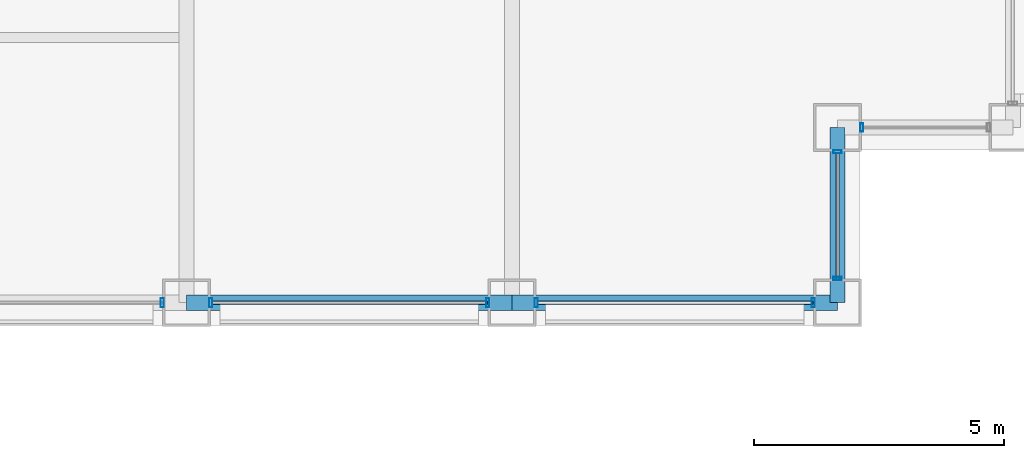
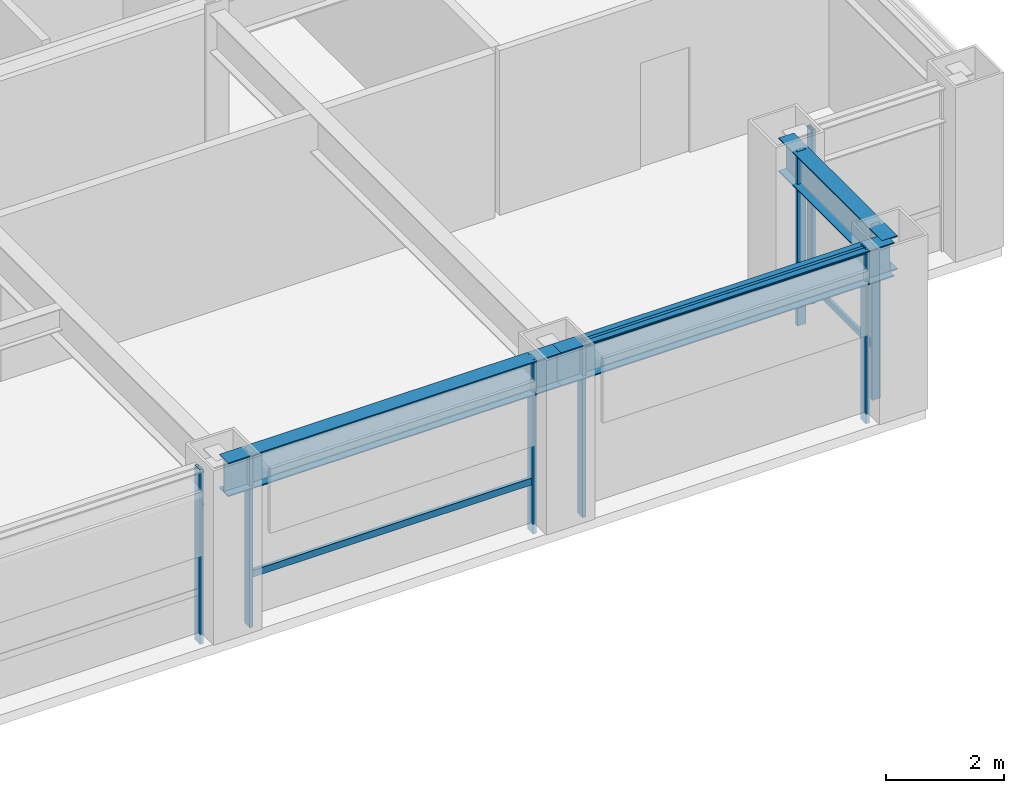
# One storey, part 9 of 31: 11 members, 3 beams, 5 elements without a shape of their own.
"""IFC4 building model written with IfcOpenShell, lengths in metres."""

from ifc_helpers import new_model, si_unit, direction, frame, origin, origin_2d, place, context, subcontext, project, spatial, hollow_rectangle, i_section, extrude, material, layer, layer_set, material_profile, profile_set, type_object, element, aggregate, save


model = new_model("IFC4")

# Units and contexts
model_context = context("Model", 3, precision=1e-05, world=origin(), true_north=direction((0.0, 1.0)))
body_context = subcontext(model_context, "Body", "Model", "MODEL_VIEW")
ifc_project = project(units=[si_unit("LENGTHUNIT", "METRE"), si_unit("AREAUNIT", "SQUARE_METRE"), si_unit("VOLUMEUNIT", "CUBIC_METRE"), si_unit("PLANEANGLEUNIT", "RADIAN"), si_unit("MASSUNIT", "GRAM", prefix="KILO")], contexts=[model_context])

# Site, building, storey
site_placement = place(None, origin())
site = spatial("IfcSite", under=ifc_project, at=site_placement, CompositionType="ELEMENT")
building_placement = place(site_placement, origin())
building = spatial("IfcBuilding", under=site, at=building_placement, Name="Brelmoor Portico Tower", CompositionType="ELEMENT")
storey_placement = place(building_placement, frame((0.0, 0.0, 42.0)))
storey = spatial("IfcBuildingStorey", under=building, at=storey_placement, Name="L10", CompositionType="ELEMENT", Elevation=42.0)

# Beams
ifc_material_1 = material(Name="Steel Q355B", Category="steel")
ifc_material_profile_1 = material_profile(ifc_material_1, i_section(OverallWidth=0.300048828125, OverallDepth=0.699951171875, WebThickness=0.012939453125, FlangeThickness=0.02392578125, at=origin_2d()), Name="HN 700x300x13x24")
ifc_profile_set_1 = profile_set([ifc_material_profile_1], Name="Steel Q355B")
beam_type = type_object("IfcBeamType", Name="BM-SP-700", PredefinedType="SPANDREL", material=ifc_profile_set_1)
for number, where, z_axis, x_axis, name in (
    (1, (8.050048828125, -21.550048828125, 3.050048828125), (1.0, 0.0, 0.0), (0.0, 1.0, 0.0), "L10 Perimeter Spandrel Beam SP-04"),
    (2, (14.550048828125, -21.550048828125, 3.050048828125), (1.0, 0.0, 0.0), (0.0, 1.0, 0.0), "L10 Perimeter Spandrel Beam SP-05"),
):
    element("IfcBeam", number, at=place(storey_placement, frame(where, z_axis=z_axis, x_axis=x_axis)), inside=storey, type_object=beam_type, Name=name, PredefinedType="SPANDREL", context=body_context, shape_type="SweptSolid", body=[
        extrude(i_section(OverallWidth=0.300048828125, OverallDepth=0.699951171875, WebThickness=0.012939453125, FlangeThickness=0.02392578125, at=origin_2d()), origin(), (0.0, 0.0, 1.0), 6.5),
    ])
beam_placement = place(storey_placement, frame((21.050048828125, -21.550048828125, 3.050048828125), z_axis=(0.0, 1.0, 0.0), x_axis=(-1.0, 0.0, 0.0)))
element("IfcBeam", 3, at=beam_placement, inside=storey, type_object=beam_type, Name="L10 Perimeter Spandrel Beam SP-20", PredefinedType="SPANDREL", context=body_context, shape_type="SweptSolid", body=[
    extrude(i_section(OverallWidth=0.300048828125, OverallDepth=0.699951171875, WebThickness=0.012939453125, FlangeThickness=0.02392578125, at=origin_2d()), origin(), (0.0, 0.0, 1.0), 3.5),
])

# Curtain wall, member
ifc_material_2 = material(Name="Anodised Aluminium Alloy 6063-T6", Category="aluminium")
ifc_layer_1 = layer(ifc_material_2, 0.179931640625)
ifc_layer_set_1 = layer_set([ifc_layer_1], Name="Anodised Aluminium Alloy 6063-T6")
curtain_wall_type_1 = type_object("IfcCurtainWallType", Name="CW-NOTCH-CHAMFER", PredefinedType="NOTDEFINED", material=ifc_layer_set_1)
curtain_wall_1_placement = place(storey_placement, origin())
curtain_wall_1 = element("IfcCurtainWall", 4, at=curtain_wall_1_placement, inside=storey, type_object=curtain_wall_type_1, Name="L10 Curtain Wall CWN-L10-SEH", PredefinedType="NOTDEFINED")
ifc_material_profile_2 = material_profile(ifc_material_2, hollow_rectangle(XDim=0.06494140625, YDim=0.1650390625, WallThickness=0.00390625, at=origin_2d()), Name="ALU MULLION 65x165")
ifc_profile_set_2 = profile_set([ifc_material_profile_2], Name="Anodised Aluminium Alloy 6063-T6")
member_type_1 = type_object("IfcMemberType", Name="MB-CW-MULL-165", PredefinedType="MULLION", material=ifc_profile_set_2)
member_1_placement = place(storey_placement, frame((21.534912109375, -18.050048828125, -0.199951171875), z_axis=(0.0, 0.0, 1.0), x_axis=(1.0, 0.0, 0.0)))
member_1 = element("IfcMember", 5, at=member_1_placement, type_object=member_type_1, Name="CWN-L10-SEH Mullion 00", PredefinedType="MULLION", context=body_context, shape_type="SweptSolid", body=[
    extrude(hollow_rectangle(XDim=0.06494140625, YDim=0.1650390625, WallThickness=0.00390625, at=origin_2d()), origin(), (0.0, 0.0, 1.0), 3.599853515625),
])
aggregate(curtain_wall_1, [member_1])

# Curtain wall, members
curtain_wall_2_placement = place(storey_placement, origin())
curtain_wall_2 = element("IfcCurtainWall", 6, at=curtain_wall_2_placement, inside=storey, type_object=curtain_wall_type_1, Name="L10 Curtain Wall CWN-L10-SEV", PredefinedType="NOTDEFINED")
member_2_placement = place(storey_placement, frame((21.050048828125, -21.06494140625, -0.199951171875), z_axis=(0.0, 0.0, 1.0), x_axis=(0.0, 1.0, 0.0)))
member_2 = element("IfcMember", 7, at=member_2_placement, type_object=member_type_1, Name="CWN-L10-SEV Mullion 00", PredefinedType="MULLION", context=body_context, shape_type="SweptSolid", body=[
    extrude(hollow_rectangle(XDim=0.06494140625, YDim=0.1650390625, WallThickness=0.00390625, at=origin_2d()), origin(), (0.0, 0.0, 1.0), 3.599853515625),
])
member_3_placement = place(storey_placement, frame((21.050048828125, -18.534912109375, -0.199951171875), z_axis=(0.0, 0.0, 1.0), x_axis=(0.0, 1.0, 0.0)))
member_3 = element("IfcMember", 8, at=member_3_placement, type_object=member_type_1, Name="CWN-L10-SEV Mullion 01", PredefinedType="MULLION", context=body_context, shape_type="SweptSolid", body=[
    extrude(hollow_rectangle(XDim=0.06494140625, YDim=0.1650390625, WallThickness=0.00390625, at=origin_2d()), origin(), (0.0, 0.0, 1.0), 3.599853515625),
])

# Curtain wall, member
ifc_layer_2 = layer(ifc_material_2, 0.179931640625)
ifc_layer_set_2 = layer_set([ifc_layer_2], Name="Anodised Aluminium Alloy 6063-T6")
curtain_wall_type_2 = type_object("IfcCurtainWallType", Name="CW-TOWER-Z1", PredefinedType="NOTDEFINED", material=ifc_layer_set_2)
curtain_wall_3_placement = place(storey_placement, origin())
curtain_wall_3 = element("IfcCurtainWall", 9, at=curtain_wall_3_placement, inside=storey, type_object=curtain_wall_type_2, Name="L10 Curtain Wall CW-L10-1R-1", PredefinedType="NOTDEFINED")
ifc_material_profile_3 = material_profile(ifc_material_2, hollow_rectangle(XDim=0.06494140625, YDim=0.179931640625, WallThickness=0.00390625, at=origin_2d()), Name="ALU MULLION 65x180")
ifc_profile_set_3 = profile_set([ifc_material_profile_3], Name="Anodised Aluminium Alloy 6063-T6")
member_type_2 = type_object("IfcMemberType", Name="MB-CW-MULL-180", PredefinedType="MULLION", material=ifc_profile_set_3)
member_4_placement = place(storey_placement, frame((7.56494140625, -21.550048828125, -0.199951171875), z_axis=(0.0, 0.0, 1.0), x_axis=(1.0, 0.0, 0.0)))
member_4 = element("IfcMember", 10, at=member_4_placement, type_object=member_type_2, Name="CW-L10-1R-1 Mullion 01", PredefinedType="MULLION", context=body_context, shape_type="SweptSolid", body=[
    extrude(hollow_rectangle(XDim=0.06494140625, YDim=0.179931640625, WallThickness=0.00390625, at=origin_2d()), origin(), (0.0, 0.0, 1.0), 3.599853515625),
])
aggregate(curtain_wall_3, [member_4])

# Curtain wall, members
curtain_wall_4_placement = place(storey_placement, origin())
curtain_wall_4 = element("IfcCurtainWall", 11, at=curtain_wall_4_placement, inside=storey, type_object=curtain_wall_type_2, Name="L10 Curtain Wall CW-L10-1R-2", PredefinedType="NOTDEFINED")
member_5_placement = place(storey_placement, frame((8.534912109375, -21.550048828125, -0.199951171875), z_axis=(0.0, 0.0, 1.0), x_axis=(1.0, 0.0, 0.0)))
member_5 = element("IfcMember", 12, at=member_5_placement, type_object=member_type_2, Name="CW-L10-1R-2 Mullion 00", PredefinedType="MULLION", context=body_context, shape_type="SweptSolid", body=[
    extrude(hollow_rectangle(XDim=0.06494140625, YDim=0.179931640625, WallThickness=0.00390625, at=origin_2d()), origin(), (0.0, 0.0, 1.0), 3.599853515625),
])
member_6_placement = place(storey_placement, frame((14.06494140625, -21.550048828125, -0.199951171875), z_axis=(0.0, 0.0, 1.0), x_axis=(1.0, 0.0, 0.0)))
member_6 = element("IfcMember", 13, at=member_6_placement, type_object=member_type_2, Name="CW-L10-1R-2 Mullion 01", PredefinedType="MULLION", context=body_context, shape_type="SweptSolid", body=[
    extrude(hollow_rectangle(XDim=0.06494140625, YDim=0.179931640625, WallThickness=0.00390625, at=origin_2d()), origin(), (0.0, 0.0, 1.0), 3.599853515625),
])

ifc_layer_3 = layer(ifc_material_2, 0.179931640625)
ifc_layer_set_3 = layer_set([ifc_layer_3], Name="Anodised Aluminium Alloy 6063-T6")
curtain_wall_type_3 = type_object("IfcCurtainWallType", Name="CW-TOWER-Z1-XB", PredefinedType="NOTDEFINED", material=ifc_layer_set_3)
curtain_wall_5_placement = place(storey_placement, origin())
curtain_wall_5 = element("IfcCurtainWall", 14, at=curtain_wall_5_placement, inside=storey, type_object=curtain_wall_type_3, Name="L10 Curtain Wall CW-L10-1R-3", PredefinedType="NOTDEFINED")
member_7_placement = place(storey_placement, frame((15.034912109375, -21.550048828125, -0.199951171875), z_axis=(0.0, 0.0, 1.0), x_axis=(1.0, 0.0, 0.0)))
member_7 = element("IfcMember", 15, at=member_7_placement, type_object=member_type_2, Name="CW-L10-1R-3 Mullion 00", PredefinedType="MULLION", context=body_context, shape_type="SweptSolid", body=[
    extrude(hollow_rectangle(XDim=0.06494140625, YDim=0.179931640625, WallThickness=0.00390625, at=origin_2d()), origin(), (0.0, 0.0, 1.0), 3.599853515625),
])
member_8_placement = place(storey_placement, frame((20.56494140625, -21.550048828125, -0.199951171875), z_axis=(0.0, 0.0, 1.0), x_axis=(1.0, 0.0, 0.0)))
member_8 = element("IfcMember", 16, at=member_8_placement, type_object=member_type_2, Name="CW-L10-1R-3 Mullion 01", PredefinedType="MULLION", context=body_context, shape_type="SweptSolid", body=[
    extrude(hollow_rectangle(XDim=0.06494140625, YDim=0.179931640625, WallThickness=0.00390625, at=origin_2d()), origin(), (0.0, 0.0, 1.0), 3.599853515625),
])

# Member
ifc_material_profile_4 = material_profile(ifc_material_2, hollow_rectangle(XDim=0.06005859375, YDim=0.125, WallThickness=0.00341796875, at=origin_2d()), Name="ALU TRANSOM 60x125")
ifc_profile_set_4 = profile_set([ifc_material_profile_4], Name="Anodised Aluminium Alloy 6063-T6")
member_type_3 = type_object("IfcMemberType", Name="MB-CW-TRAN-125", PredefinedType="USERDEFINED", material=ifc_profile_set_4)
member_9_placement = place(storey_placement, frame((21.050048828125, -21.06494140625, 0.85009765625), z_axis=(0.0, 1.0, 0.0), x_axis=(-1.0, 0.0, 0.0)))
member_9 = element("IfcMember", 17, at=member_9_placement, type_object=member_type_3, Name="CWN-L10-SEV Transom 1-00", ObjectType="TRANSOM", PredefinedType="USERDEFINED", context=body_context, shape_type="SweptSolid", body=[
    extrude(hollow_rectangle(XDim=0.06005859375, YDim=0.125, WallThickness=0.00341796875, at=origin_2d()), origin(), (0.0, 0.0, 1.0), 2.530029296875),
])

aggregate(curtain_wall_2, [member_2, member_3, member_9])

ifc_material_profile_5 = material_profile(ifc_material_2, hollow_rectangle(XDim=0.06494140625, YDim=0.139892578125, WallThickness=0.00390625, at=origin_2d()), Name="ALU TRANSOM 65x140")
ifc_profile_set_5 = profile_set([ifc_material_profile_5], Name="Anodised Aluminium Alloy 6063-T6")
member_type_4 = type_object("IfcMemberType", Name="MB-CW-TRAN-140", PredefinedType="USERDEFINED", material=ifc_profile_set_5)
member_10_placement = place(storey_placement, frame((8.534912109375, -21.550048828125, 0.85009765625), z_axis=(1.0, 0.0, 0.0), x_axis=(0.0, 1.0, 0.0)))
member_10 = element("IfcMember", 18, at=member_10_placement, type_object=member_type_4, Name="CW-L10-1R-2 Transom 1-00", ObjectType="TRANSOM", PredefinedType="USERDEFINED", context=body_context, shape_type="SweptSolid", body=[
    extrude(hollow_rectangle(XDim=0.06494140625, YDim=0.139892578125, WallThickness=0.00390625, at=origin_2d()), origin(), (0.0, 0.0, 1.0), 5.530029296875),
])

aggregate(curtain_wall_4, [member_5, member_6, member_10])

member_11_placement = place(storey_placement, frame((15.034912109375, -21.550048828125, 3.330078125), z_axis=(1.0, 0.0, 0.0), x_axis=(0.0, 1.0, 0.0)))
member_11 = element("IfcMember", 19, at=member_11_placement, type_object=member_type_4, Name="CW-L10-1R-3 Transom 1-00", ObjectType="TRANSOM", PredefinedType="USERDEFINED", context=body_context, shape_type="SweptSolid", body=[
    extrude(hollow_rectangle(XDim=0.06494140625, YDim=0.139892578125, WallThickness=0.00390625, at=origin_2d()), origin(), (0.0, 0.0, 1.0), 5.530029296875),
])

aggregate(curtain_wall_5, [member_7, member_8, member_11])

save(model, "model.ifc")
